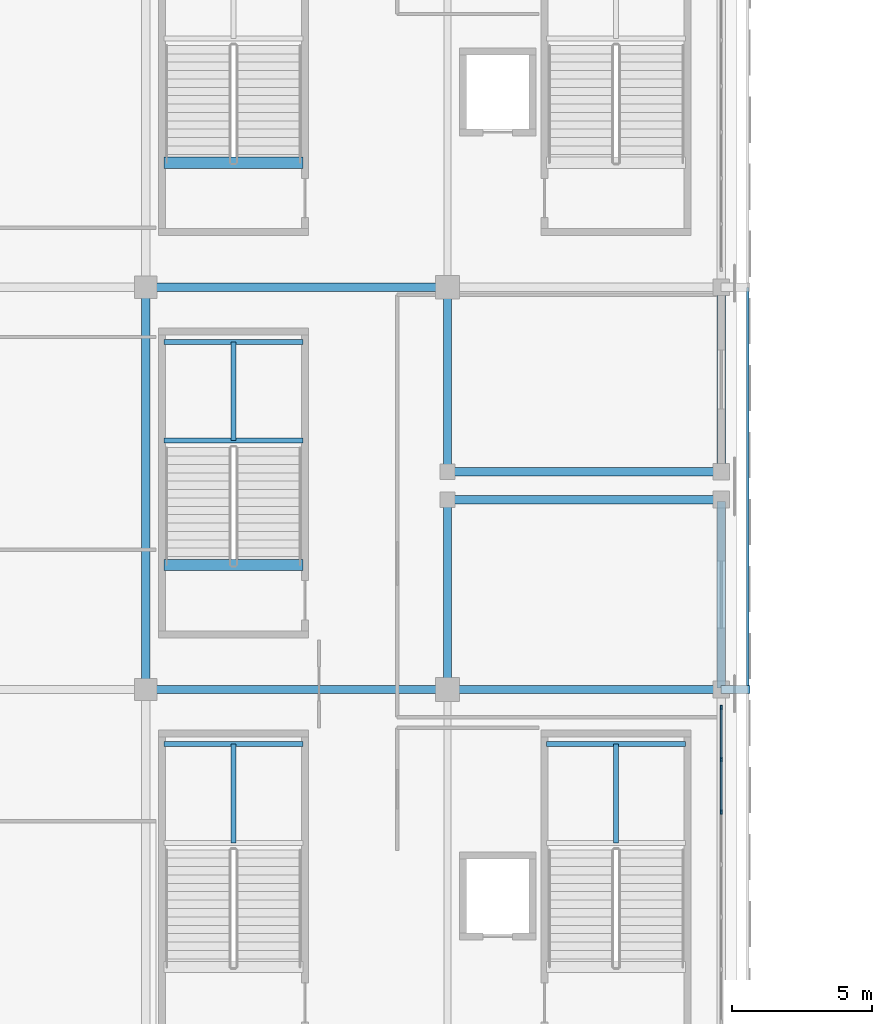
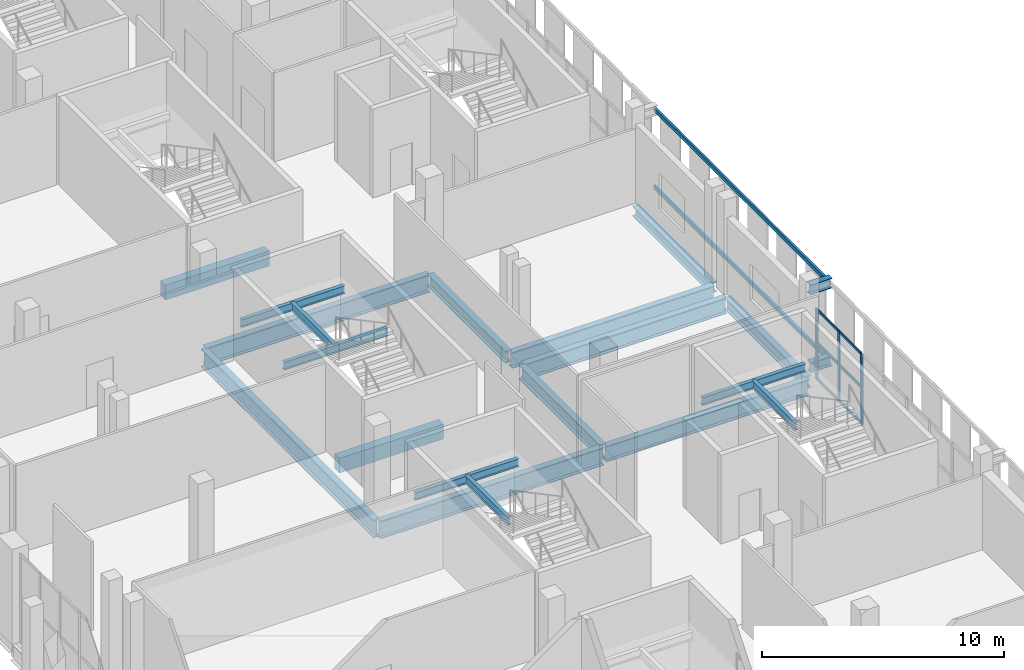
# One storey, part 56 of 142: 21 beams, 11 members, 1 element without a shape of its own.
"""IFC4 building model written with IfcOpenShell, lengths in metres."""

from ifc_helpers import new_model, si_unit, direction, frame, origin, origin_2d, place, context, subcontext, project, spatial, rectangle, hollow_rectangle, i_section, extrude, material, material_profile, profile_set, type_object, element, aggregate, save


model = new_model("IFC4")

# Units and contexts
model_context = context("Model", 3, precision=1e-05, world=origin(), true_north=direction((0.0, 1.0)))
body_context = subcontext(model_context, "Body", "Model", "MODEL_VIEW")
ifc_project = project(units=[si_unit("LENGTHUNIT", "METRE"), si_unit("AREAUNIT", "SQUARE_METRE"), si_unit("VOLUMEUNIT", "CUBIC_METRE"), si_unit("PLANEANGLEUNIT", "RADIAN"), si_unit("MASSUNIT", "GRAM", prefix="KILO")], contexts=[model_context])

# Site, building, storey
site_placement = place(None, origin())
site = spatial("IfcSite", under=ifc_project, at=site_placement, CompositionType="ELEMENT")
building_placement = place(site_placement, origin())
building = spatial("IfcBuilding", under=site, at=building_placement, Name="Koshinbarg Plaza Stadium", CompositionType="ELEMENT")
storey_placement = place(building_placement, frame((0.0, 0.0, 10.199951171875)))
storey = spatial("IfcBuildingStorey", under=building, at=storey_placement, Name="L02", CompositionType="ELEMENT", Elevation=10.199951171875)

# Beams
ifc_material_1 = material(Name="Steel S355", Category="steel")
ifc_material_profile_1 = material_profile(ifc_material_1, i_section(OverallWidth=0.300048828125, OverallDepth=0.5, WebThickness=0.014404296875, FlangeThickness=0.028076171875, at=origin_2d()), Name="HEB 500")
ifc_profile_set_1 = profile_set([ifc_material_profile_1], Name="Steel S355")
beam_type_1 = type_object("IfcBeamType", Name="BM-CANOPY-CANT", PredefinedType="BEAM", material=ifc_profile_set_1)
for number, where, z_axis, x_axis, name in (
    (1, (218.39990234375, 68.699951171875, 0.25), (1.0, 0.0, 0.0), (0.0, 1.0, 0.0), "Outer screen cantilever outrigger E-L02-Y04"),
    (2, (218.39990234375, 68.699951171875, 4.179931640625), (1.0, 0.0, 0.0), (0.0, 1.0, 0.0), "Outer screen cantilever outrigger E-L02-Y04"),
):
    element("IfcBeam", number, at=place(storey_placement, frame(where, z_axis=z_axis, x_axis=x_axis)), inside=storey, type_object=beam_type_1, Name=name, PredefinedType="BEAM", context=body_context, shape_type="SweptSolid", body=[
        extrude(i_section(OverallWidth=0.300048828125, OverallDepth=0.5, WebThickness=0.014404296875, FlangeThickness=0.028076171875, at=origin_2d()), origin(), (0.0, 0.0, 1.0), 1.030029296875),
    ])
ifc_material_2 = material(Name="Concrete C40/50", Category="concrete")
ifc_material_profile_2 = material_profile(ifc_material_2, rectangle(XDim=0.39990234375, YDim=0.75, at=origin_2d()), Name="RC 400x750")
ifc_profile_set_2 = profile_set([ifc_material_profile_2], Name="Concrete C40/50")
beam_type_2 = type_object("IfcBeamType", Name="BM-RCG-03", PredefinedType="USERDEFINED", material=ifc_profile_set_2)
for number, where, z_axis, x_axis, name in (
    (3, (198.449951171875, 73.159912109375, -0.375), (1.0, 0.0, 0.0), (0.0, 1.0, 0.0), "L02 stair landing header beam VX10"),
    (4, (198.449951171875, 87.56005859375, -0.375), (1.0, 0.0, 0.0), (0.0, 1.0, 0.0), "L02 stair landing header beam VX11"),
):
    element("IfcBeam", number, at=place(storey_placement, frame(where, z_axis=z_axis, x_axis=x_axis)), inside=storey, type_object=beam_type_2, Name=name, ObjectType="GIRDER", PredefinedType="USERDEFINED", context=body_context, shape_type="SweptSolid", body=[
        extrude(rectangle(XDim=0.39990234375, YDim=0.75, at=origin_2d()), origin(), (0.0, 0.0, 1.0), 4.969970703125),
    ])
ifc_material_profile_3 = material_profile(ifc_material_1, i_section(OverallWidth=0.179931640625, OverallDepth=0.39990234375, WebThickness=0.008544921875, FlangeThickness=0.013427734375, at=origin_2d()), Name="IPE 400")
ifc_profile_set_3 = profile_set([ifc_material_profile_3], Name="Steel S355")
beam_type_3 = type_object("IfcBeamType", Name="BM-SBM-01", PredefinedType="BEAM", material=ifc_profile_set_3)
beam_1_placement = place(storey_placement, frame((212.14990234375, 66.75, 1.880126953125), z_axis=(1.0, 0.0, 0.0), x_axis=(0.0, 1.0, 0.0)))
element("IfcBeam", 5, at=beam_1_placement, inside=storey, type_object=beam_type_3, Name="L02 Protected Exit Stair C08 landing trimmer beam 2", PredefinedType="BEAM", context=body_context, shape_type="SweptSolid", body=[
    extrude(i_section(OverallWidth=0.179931640625, OverallDepth=0.39990234375, WebThickness=0.008544921875, FlangeThickness=0.013427734375, at=origin_2d()), origin(), (0.0, 0.0, 1.0), 4.97021484375),
])
beam_2_placement = place(storey_placement, frame((214.635009765625, 63.2099609375, 1.880126953125), z_axis=(0.0, 1.0, 0.0), x_axis=(-1.0, 0.0, 0.0)))
element("IfcBeam", 6, at=beam_2_placement, inside=storey, type_object=beam_type_3, Name="L02 Protected Exit Stair C08 landing trimmer beam 3", PredefinedType="BEAM", context=body_context, shape_type="SweptSolid", body=[
    extrude(i_section(OverallWidth=0.179931640625, OverallDepth=0.39990234375, WebThickness=0.008544921875, FlangeThickness=0.013427734375, at=origin_2d()), origin(), (0.0, 0.0, 1.0), 3.5400390625),
])
beam_3_placement = place(storey_placement, frame((198.449951171875, 66.75, 1.880126953125), z_axis=(1.0, 0.0, 0.0), x_axis=(0.0, 1.0, 0.0)))
element("IfcBeam", 7, at=beam_3_placement, inside=storey, type_object=beam_type_3, Name="L02 Upper Vomitory Stair VX09 landing trimmer beam 2", PredefinedType="BEAM", context=body_context, shape_type="SweptSolid", body=[
    extrude(i_section(OverallWidth=0.179931640625, OverallDepth=0.39990234375, WebThickness=0.008544921875, FlangeThickness=0.013427734375, at=origin_2d()), origin(), (0.0, 0.0, 1.0), 4.969970703125),
])
beam_4_placement = place(storey_placement, frame((200.93505859375, 63.2099609375, 1.880126953125), z_axis=(0.0, 1.0, 0.0), x_axis=(-1.0, 0.0, 0.0)))
element("IfcBeam", 8, at=beam_4_placement, inside=storey, type_object=beam_type_3, Name="L02 Upper Vomitory Stair VX09 landing trimmer beam 3", PredefinedType="BEAM", context=body_context, shape_type="SweptSolid", body=[
    extrude(i_section(OverallWidth=0.179931640625, OverallDepth=0.39990234375, WebThickness=0.008544921875, FlangeThickness=0.013427734375, at=origin_2d()), origin(), (0.0, 0.0, 1.0), 3.5400390625),
])
for number, where, z_axis, x_axis, name in (
    (9, (198.449951171875, 77.610107421875, 1.880126953125), (1.0, 0.0, 0.0), (0.0, 1.0, 0.0), "L02 Upper Vomitory Stair VX10 landing trimmer beam 1"),
    (10, (198.449951171875, 81.14990234375, 1.880126953125), (1.0, 0.0, 0.0), (0.0, 1.0, 0.0), "L02 Upper Vomitory Stair VX10 landing trimmer beam 2"),
):
    element("IfcBeam", number, at=place(storey_placement, frame(where, z_axis=z_axis, x_axis=x_axis)), inside=storey, type_object=beam_type_3, Name=name, PredefinedType="BEAM", context=body_context, shape_type="SweptSolid", body=[
        extrude(i_section(OverallWidth=0.179931640625, OverallDepth=0.39990234375, WebThickness=0.008544921875, FlangeThickness=0.013427734375, at=origin_2d()), origin(), (0.0, 0.0, 1.0), 4.969970703125),
    ])
beam_5_placement = place(storey_placement, frame((200.93505859375, 77.610107421875, 1.880126953125), z_axis=(0.0, 1.0, 0.0), x_axis=(-1.0, 0.0, 0.0)))
element("IfcBeam", 11, at=beam_5_placement, inside=storey, type_object=beam_type_3, Name="L02 Upper Vomitory Stair VX10 landing trimmer beam 3", PredefinedType="BEAM", context=body_context, shape_type="SweptSolid", body=[
    extrude(i_section(OverallWidth=0.179931640625, OverallDepth=0.39990234375, WebThickness=0.008544921875, FlangeThickness=0.013427734375, at=origin_2d()), origin(), (0.0, 0.0, 1.0), 3.539794921875),
])
ifc_material_profile_4 = material_profile(ifc_material_1, i_section(OverallWidth=0.300048828125, OverallDepth=0.5, WebThickness=0.014404296875, FlangeThickness=0.028076171875, at=origin_2d()), Name="HEB 500")
ifc_profile_set_4 = profile_set([ifc_material_profile_4], Name="Steel S355")
beam_type_4 = type_object("IfcBeamType", Name="BM-SGIR-01", PredefinedType="USERDEFINED", material=ifc_profile_set_4)
beam_6_placement = place(storey_placement, frame((218.39990234375, 76.56005859375, -0.550048828125), z_axis=(0.0, 1.0, 0.0), x_axis=(-1.0, 0.0, 0.0)))
element("IfcBeam", 12, at=beam_6_placement, inside=storey, type_object=beam_type_4, Name="L02 Y girder 21/L-M", ObjectType="GIRDER", PredefinedType="USERDEFINED", context=body_context, shape_type="SweptSolid", body=[
    extrude(i_section(OverallWidth=0.300048828125, OverallDepth=0.5, WebThickness=0.014404296875, FlangeThickness=0.028076171875, at=origin_2d()), origin(), (0.0, 0.0, 1.0), 6.47998046875),
])
ifc_material_profile_5 = material_profile(ifc_material_1, i_section(OverallWidth=0.300048828125, OverallDepth=0.60009765625, WebThickness=0.015380859375, FlangeThickness=0.030029296875, at=origin_2d()), Name="HEB 600")
ifc_profile_set_5 = profile_set([ifc_material_profile_5], Name="Steel S355")
beam_type_5 = type_object("IfcBeamType", Name="BM-SGIR-02", PredefinedType="USERDEFINED", material=ifc_profile_set_5)
beam_7_placement = place(storey_placement, frame((208.60009765625, 76.56005859375, -0.599853515625), z_axis=(0.0, 1.0, 0.0), x_axis=(-1.0, 0.0, 0.0)))
element("IfcBeam", 13, at=beam_7_placement, inside=storey, type_object=beam_type_5, Name="L02 Y girder 20/L-M", ObjectType="GIRDER", PredefinedType="USERDEFINED", context=body_context, shape_type="SweptSolid", body=[
    extrude(i_section(OverallWidth=0.300048828125, OverallDepth=0.60009765625, WebThickness=0.015380859375, FlangeThickness=0.030029296875, at=origin_2d()), origin(), (0.0, 0.0, 1.0), 6.47998046875),
])
beam_8_placement = place(storey_placement, frame((218.39990234375, 68.760009765625, -0.599853515625), z_axis=(0.0, 1.0, 0.0), x_axis=(-1.0, 0.0, 0.0)))
element("IfcBeam", 14, at=beam_8_placement, inside=storey, type_object=beam_type_5, Name="L02 Y girder 21/J-K", ObjectType="GIRDER", PredefinedType="USERDEFINED", context=body_context, shape_type="SweptSolid", body=[
    extrude(i_section(OverallWidth=0.300048828125, OverallDepth=0.60009765625, WebThickness=0.015380859375, FlangeThickness=0.030029296875, at=origin_2d()), origin(), (0.0, 0.0, 1.0), 6.679931640625),
])
ifc_material_profile_6 = material_profile(ifc_material_1, i_section(OverallWidth=0.300048828125, OverallDepth=0.699951171875, WebThickness=0.01708984375, FlangeThickness=0.031982421875, at=origin_2d()), Name="HEB 700")
ifc_profile_set_6 = profile_set([ifc_material_profile_6], Name="Steel S355")
beam_type_6 = type_object("IfcBeamType", Name="BM-SGIR-03", PredefinedType="USERDEFINED", material=ifc_profile_set_6)
beam_9_placement = place(storey_placement, frame((208.60009765625, 68.760009765625, -0.64990234375), z_axis=(0.0, 1.0, 0.0), x_axis=(-1.0, 0.0, 0.0)))
element("IfcBeam", 15, at=beam_9_placement, inside=storey, type_object=beam_type_6, Name="L02 Y girder 20/J-K", ObjectType="GIRDER", PredefinedType="USERDEFINED", context=body_context, shape_type="SweptSolid", body=[
    extrude(i_section(OverallWidth=0.300048828125, OverallDepth=0.699951171875, WebThickness=0.01708984375, FlangeThickness=0.031982421875, at=origin_2d()), origin(), (0.0, 0.0, 1.0), 6.679931640625),
])
ifc_material_profile_7 = material_profile(ifc_material_1, i_section(OverallWidth=0.300048828125, OverallDepth=0.800048828125, WebThickness=0.017578125, FlangeThickness=0.032958984375, at=origin_2d()), Name="HEB 800")
ifc_profile_set_7 = profile_set([ifc_material_profile_7], Name="Steel S355")
beam_type_7 = type_object("IfcBeamType", Name="BM-SGIR-04", PredefinedType="USERDEFINED", material=ifc_profile_set_7)
for number, where, z_axis, x_axis, name in (
    (16, (208.659912109375, 68.699951171875, -0.699951171875), (1.0, 0.0, 0.0), (0.0, 1.0, 0.0), "L02 X girder J/20-21"),
    (17, (208.659912109375, 75.5, -0.699951171875), (1.0, 0.0, 0.0), (0.0, 1.0, 0.0), "L02 X girder K/20-21"),
    (18, (208.659912109375, 76.5, -0.699951171875), (1.0, 0.0, 0.0), (0.0, 1.0, 0.0), "L02 X girder L/20-21"),
):
    element("IfcBeam", number, at=place(storey_placement, frame(where, z_axis=z_axis, x_axis=x_axis)), inside=storey, type_object=beam_type_7, Name=name, ObjectType="GIRDER", PredefinedType="USERDEFINED", context=body_context, shape_type="SweptSolid", body=[
        extrude(i_section(OverallWidth=0.300048828125, OverallDepth=0.800048828125, WebThickness=0.017578125, FlangeThickness=0.032958984375, at=origin_2d()), origin(), (0.0, 0.0, 1.0), 9.68017578125),
    ])
ifc_material_profile_8 = material_profile(ifc_material_1, i_section(OverallWidth=0.300048828125, OverallDepth=0.89990234375, WebThickness=0.0185546875, FlangeThickness=0.034912109375, at=origin_2d()), Name="HEB 900")
ifc_profile_set_8 = profile_set([ifc_material_profile_8], Name="Steel S355")
beam_type_8 = type_object("IfcBeamType", Name="BM-SGIR-05", PredefinedType="USERDEFINED", material=ifc_profile_set_8)
for number, where, z_axis, x_axis, name in (
    (19, (197.860107421875, 68.699951171875, -0.75), (1.0, 0.0, 0.0), (0.0, 1.0, 0.0), "L02 X girder J/19-20"),
    (20, (197.860107421875, 83.10009765625, -0.75), (1.0, 0.0, 0.0), (0.0, 1.0, 0.0), "L02 X girder M/19-20"),
):
    element("IfcBeam", number, at=place(storey_placement, frame(where, z_axis=z_axis, x_axis=x_axis)), inside=storey, type_object=beam_type_8, Name=name, ObjectType="GIRDER", PredefinedType="USERDEFINED", context=body_context, shape_type="SweptSolid", body=[
        extrude(i_section(OverallWidth=0.300048828125, OverallDepth=0.89990234375, WebThickness=0.0185546875, FlangeThickness=0.034912109375, at=origin_2d()), origin(), (0.0, 0.0, 1.0), 10.679931640625),
    ])
beam_10_placement = place(storey_placement, frame((197.800048828125, 68.760009765625, -0.75), z_axis=(0.0, 1.0, 0.0), x_axis=(-1.0, 0.0, 0.0)))
element("IfcBeam", 21, at=beam_10_placement, inside=storey, type_object=beam_type_8, Name="L02 Y girder 19/J-M", ObjectType="GIRDER", PredefinedType="USERDEFINED", context=body_context, shape_type="SweptSolid", body=[
    extrude(i_section(OverallWidth=0.300048828125, OverallDepth=0.89990234375, WebThickness=0.0185546875, FlangeThickness=0.034912109375, at=origin_2d()), origin(), (0.0, 0.0, 1.0), 14.280029296875),
])

# Curtain wall, members
ifc_material_3 = material(Name="Thermally broken anodised aluminium and low-E double glazing", Category="aluminium")
curtain_wall_type = type_object("IfcCurtainWallType", Name="CW-SYS-10", PredefinedType="NOTDEFINED", material=ifc_material_3)
curtain_wall_placement = place(storey_placement, origin())
curtain_wall = element("IfcCurtainWall", 22, at=curtain_wall_placement, inside=storey, type_object=curtain_wall_type, Name="L02 unitised curtain wall CW-L02-057", PredefinedType="NOTDEFINED")
ifc_material_4 = material(Name="Anodised aluminium mullion", Category="aluminium")
ifc_material_profile_9 = material_profile(ifc_material_4, rectangle(XDim=0.06005859375, YDim=0.159912109375, at=origin_2d()), Name="ALU 60x160")
ifc_profile_set_9 = profile_set([ifc_material_profile_9], Name="Anodised aluminium mullion")
member_type_1 = type_object("IfcMemberType", Name="CW-MUL-02", PredefinedType="MULLION", material=ifc_profile_set_9)
member_1_placement = place(storey_placement, frame((218.39990234375, 68.050048828125, 0.0), z_axis=(0.0, 0.0, 1.0), x_axis=(1.0, 0.0, 0.0)))
member_1 = element("IfcMember", 23, at=member_1_placement, type_object=member_type_1, Name="CW10 mullion 1", PredefinedType="MULLION", context=body_context, shape_type="SweptSolid", body=[
    extrude(rectangle(XDim=0.06005859375, YDim=0.159912109375, at=origin_2d()), origin(), (0.0, 0.0, 1.0), 3.56005859375),
])
member_2_placement = place(storey_placement, frame((218.39990234375, 66.199951171875, 0.0), z_axis=(0.0, 0.0, 1.0), x_axis=(1.0, 0.0, 0.0)))
member_2 = element("IfcMember", 24, at=member_2_placement, type_object=member_type_1, Name="CW10 mullion 2", PredefinedType="MULLION", context=body_context, shape_type="SweptSolid", body=[
    extrude(rectangle(XDim=0.06005859375, YDim=0.159912109375, at=origin_2d()), origin(), (0.0, 0.0, 1.0), 3.56005859375),
])
member_3_placement = place(storey_placement, frame((218.39990234375, 64.320068359375, 0.0), z_axis=(0.0, 0.0, 1.0), x_axis=(1.0, 0.0, 0.0)))
member_3 = element("IfcMember", 25, at=member_3_placement, type_object=member_type_1, Name="CW10 mullion 3", PredefinedType="MULLION", context=body_context, shape_type="SweptSolid", body=[
    extrude(rectangle(XDim=0.06005859375, YDim=0.159912109375, at=origin_2d()), origin(), (0.0, 0.0, 1.0), 3.56005859375),
])
ifc_material_5 = material(Name="Anodised aluminium transom", Category="aluminium")
ifc_material_profile_10 = material_profile(ifc_material_5, rectangle(XDim=0.06005859375, YDim=0.1298828125, at=origin_2d()), Name="ALU 60x130")
ifc_profile_set_10 = profile_set([ifc_material_profile_10], Name="Anodised aluminium transom")
member_type_2 = type_object("IfcMemberType", Name="CW-TRN-02", PredefinedType="USERDEFINED", material=ifc_profile_set_10)
member_4_placement = place(storey_placement, frame((218.39990234375, 68.02001953125, 0.030029296875), z_axis=(0.0, -1.0, 0.0), x_axis=(1.0, 0.0, 0.0)))
member_4 = element("IfcMember", 26, at=member_4_placement, type_object=member_type_2, Name="CW10 transom 1.1", ObjectType="TRANSOM", PredefinedType="USERDEFINED", context=body_context, shape_type="SweptSolid", body=[
    extrude(rectangle(XDim=0.06005859375, YDim=0.1298828125, at=origin_2d()), origin(), (0.0, 0.0, 1.0), 1.7900390625),
])
member_5_placement = place(storey_placement, frame((218.39990234375, 68.02001953125, 1.851318359375), z_axis=(0.0, -1.0, 0.0), x_axis=(1.0, 0.0, 0.0)))
member_5 = element("IfcMember", 27, at=member_5_placement, type_object=member_type_2, Name="CW10 transom 1.2", ObjectType="TRANSOM", PredefinedType="USERDEFINED", context=body_context, shape_type="SweptSolid", body=[
    extrude(rectangle(XDim=0.06005859375, YDim=0.1298828125, at=origin_2d()), origin(), (0.0, 0.0, 1.0), 1.7900390625),
])
member_6_placement = place(storey_placement, frame((218.39990234375, 68.02001953125, 3.530029296875), z_axis=(0.0, -1.0, 0.0), x_axis=(1.0, 0.0, 0.0)))
member_6 = element("IfcMember", 28, at=member_6_placement, type_object=member_type_2, Name="CW10 transom 1.3", ObjectType="TRANSOM", PredefinedType="USERDEFINED", context=body_context, shape_type="SweptSolid", body=[
    extrude(rectangle(XDim=0.06005859375, YDim=0.1298828125, at=origin_2d()), origin(), (0.0, 0.0, 1.0), 1.7900390625),
])
member_7_placement = place(storey_placement, frame((218.39990234375, 66.169921875, 0.030029296875), z_axis=(0.0, -1.0, 0.0), x_axis=(1.0, 0.0, 0.0)))
member_7 = element("IfcMember", 29, at=member_7_placement, type_object=member_type_2, Name="CW10 transom 2.1", ObjectType="TRANSOM", PredefinedType="USERDEFINED", context=body_context, shape_type="SweptSolid", body=[
    extrude(rectangle(XDim=0.06005859375, YDim=0.1298828125, at=origin_2d()), origin(), (0.0, 0.0, 1.0), 1.81982421875),
])
member_8_placement = place(storey_placement, frame((218.39990234375, 66.169921875, 1.851318359375), z_axis=(0.0, -1.0, 0.0), x_axis=(1.0, 0.0, 0.0)))
member_8 = element("IfcMember", 30, at=member_8_placement, type_object=member_type_2, Name="CW10 transom 2.2", ObjectType="TRANSOM", PredefinedType="USERDEFINED", context=body_context, shape_type="SweptSolid", body=[
    extrude(rectangle(XDim=0.06005859375, YDim=0.1298828125, at=origin_2d()), origin(), (0.0, 0.0, 1.0), 1.81982421875),
])
member_9_placement = place(storey_placement, frame((218.39990234375, 66.169921875, 3.530029296875), z_axis=(0.0, -1.0, 0.0), x_axis=(1.0, 0.0, 0.0)))
member_9 = element("IfcMember", 31, at=member_9_placement, type_object=member_type_2, Name="CW10 transom 2.3", ObjectType="TRANSOM", PredefinedType="USERDEFINED", context=body_context, shape_type="SweptSolid", body=[
    extrude(rectangle(XDim=0.06005859375, YDim=0.1298828125, at=origin_2d()), origin(), (0.0, 0.0, 1.0), 1.81982421875),
])
aggregate(curtain_wall, [member_1, member_2, member_3, member_4, member_5, member_6, member_7, member_8, member_9])

# Members
ifc_material_profile_11 = material_profile(ifc_material_1, hollow_rectangle(XDim=0.10009765625, YDim=0.199951171875, WallThickness=0.008056640625, at=origin_2d()), Name="RHS 200x100x8")
ifc_profile_set_11 = profile_set([ifc_material_profile_11], Name="Steel S355")
member_type_3 = type_object("IfcMemberType", Name="MB-PURL-03", PredefinedType="PURLIN", material=ifc_profile_set_11)
for number, where, z_axis, x_axis, name in (
    (32, (219.35009765625, 68.699951171875, 0.25), (0.0, 1.0, 0.0), (-1.0, 0.0, 0.0), "L02 outer screen subframe rail E-4-BOT"),
    (33, (219.35009765625, 68.699951171875, 4.179931640625), (0.0, 1.0, 0.0), (-1.0, 0.0, 0.0), "L02 outer screen subframe rail E-4-TOP"),
):
    element("IfcMember", number, at=place(storey_placement, frame(where, z_axis=z_axis, x_axis=x_axis)), inside=storey, type_object=member_type_3, Name=name, PredefinedType="PURLIN", context=body_context, shape_type="SweptSolid", body=[
        extrude(hollow_rectangle(XDim=0.10009765625, YDim=0.199951171875, WallThickness=0.008056640625, at=origin_2d()), origin(), (0.0, 0.0, 1.0), 14.400146484375),
    ])

save(model, "model.ifc")
